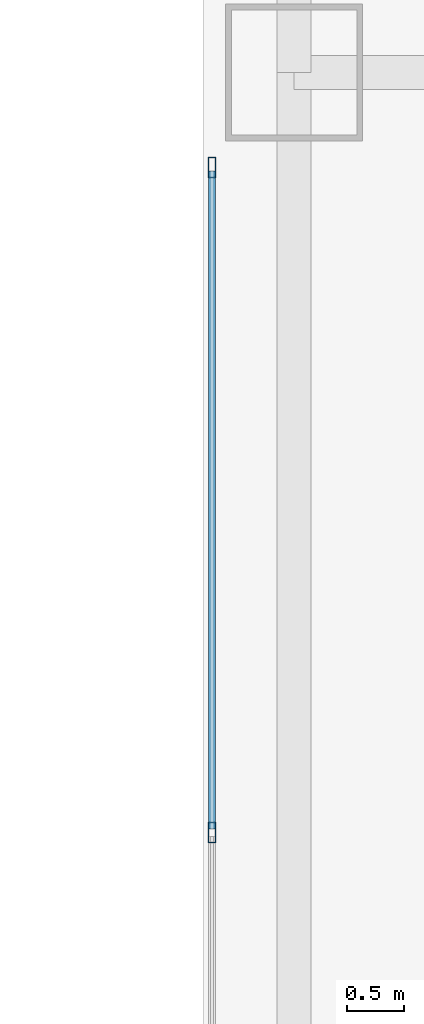
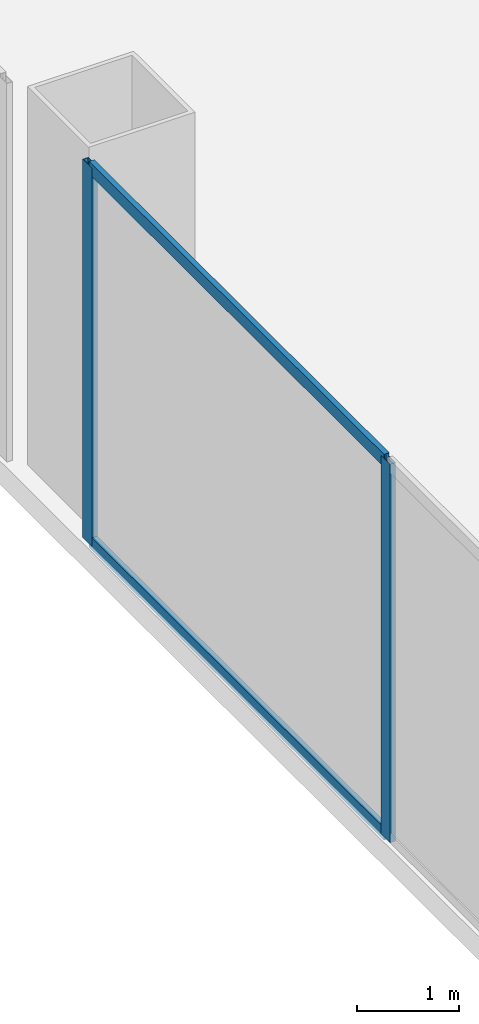
# One storey, part 34 of 58: 4 members, 1 element without a shape of its own.
"""IFC4 building model written with IfcOpenShell, lengths in metres."""

from ifc_helpers import new_model, si_unit, direction, frame, origin, origin_2d, place, context, subcontext, project, spatial, hollow_rectangle, extrude, source, transform, mapped, material, layer, layer_set, material_profile, profile_set, type_object, element, aggregate, save


model = new_model("IFC4")

# Units and contexts
model_context = context("Model", 3, precision=1e-05, world=origin(), true_north=direction((0.0, 1.0)))
body_context = subcontext(model_context, "Body", "Model", "MODEL_VIEW")
ifc_project = project(units=[si_unit("LENGTHUNIT", "METRE"), si_unit("AREAUNIT", "SQUARE_METRE"), si_unit("VOLUMEUNIT", "CUBIC_METRE"), si_unit("PLANEANGLEUNIT", "RADIAN"), si_unit("MASSUNIT", "GRAM", prefix="KILO"), si_unit("THERMODYNAMICTEMPERATUREUNIT", "KELVIN"), si_unit("POWERUNIT", "WATT")], contexts=[model_context])

# Site, building, storey
site_placement = place(None, origin())
site = spatial("IfcSite", under=ifc_project, at=site_placement, CompositionType="ELEMENT")
building_placement = place(site_placement, origin())
building = spatial("IfcBuilding", under=site, at=building_placement, Name="Yunzhuo Pagoda Commons", CompositionType="ELEMENT")
storey_placement = place(building_placement, origin())
storey = spatial("IfcBuildingStorey", under=building, at=storey_placement, Name="L01", CompositionType="ELEMENT", Elevation=0.0)

# Curtain wall, members
ifc_material = material(Name="Anodized aluminium 6063-T6", Category="aluminium")
ifc_layer = layer(ifc_material, 0.179931640625)
ifc_layer_set = layer_set([ifc_layer], Name="Anodized aluminium 6063-T6")
curtain_wall_type = type_object("IfcCurtainWallType", Name="CW-POD Waterfront Podium Curtain Wall", PredefinedType="NOTDEFINED", material=ifc_layer_set)
curtain_wall_placement = place(storey_placement, origin())
curtain_wall = element("IfcCurtainWall", 1, at=curtain_wall_placement, inside=storey, type_object=curtain_wall_type, Name="L01 curtain wall CW-L01-W4", PredefinedType="NOTDEFINED")
ifc_material_profile_1 = material_profile(ifc_material, hollow_rectangle(XDim=0.06494140625, YDim=0.179931640625, WallThickness=0.00390625, at=origin_2d()), Name="Anodized aluminium 6063-T6")
ifc_profile_set_1 = profile_set([ifc_material_profile_1], Name="Anodized aluminium 6063-T6")
member_type_1 = type_object("IfcMemberType", Name="CW-POD-M Mullion RHS 180x65x4", PredefinedType="MULLION", material=ifc_profile_set_1)
shared_shape_1 = source(origin(), body_context, "Body", "SweptSolid", [
    extrude(hollow_rectangle(XDim=0.06494140625, YDim=0.179931640625, WallThickness=0.00390625, at=origin_2d()), origin(), (0.0, 0.0, 1.0), 4.520263671875),
])
member_1_placement = place(storey_placement, frame((4.080078125, 74.533447265625, 0.0), z_axis=(0.0, 0.0, 1.0), x_axis=(-1.0, 0.0, 0.0)))
member_1 = element("IfcMember", 2, at=member_1_placement, type_object=member_type_1, Name="CW mullion 3", PredefinedType="MULLION", context=body_context, shape_type="MappedRepresentation", body=[
    mapped(shared_shape_1, transform((0.0, 0.0, 0.0), scale=1.0)),
])
member_2_placement = place(storey_placement, frame((4.080078125, 80.367431640625, 0.0), z_axis=(0.0, 0.0, 1.0), x_axis=(-1.0, 0.0, 0.0)))
member_2 = element("IfcMember", 3, at=member_2_placement, type_object=member_type_1, Name="CW mullion 4", PredefinedType="MULLION", context=body_context, shape_type="MappedRepresentation", body=[
    mapped(shared_shape_1, transform((0.0, 0.0, 0.0), scale=1.0)),
])
ifc_material_profile_2 = material_profile(ifc_material, hollow_rectangle(XDim=0.06005859375, YDim=0.14990234375, WallThickness=0.00390625, at=origin_2d()), Name="Anodized aluminium 6063-T6")
ifc_profile_set_2 = profile_set([ifc_material_profile_2], Name="Anodized aluminium 6063-T6")
member_type_2 = type_object("IfcMemberType", Name="CW-POD-T Transom RHS 150x60x4", PredefinedType="USERDEFINED", material=ifc_profile_set_2)
shared_shape_2 = source(origin(), body_context, "Body", "SweptSolid", [
    extrude(hollow_rectangle(XDim=0.06005859375, YDim=0.14990234375, WallThickness=0.00390625, at=origin_2d()), origin(), (0.0, 0.0, 1.0), 5.76904296875),
])
member_3_placement = place(storey_placement, frame((4.080078125, 74.56591796875, 0.030029296875), z_axis=(0.0, 1.0, 0.0), x_axis=(-1.0, 0.0, 0.0)))
member_3 = element("IfcMember", 4, at=member_3_placement, type_object=member_type_2, Name="CW transom 3.1", ObjectType="TRANSOM", PredefinedType="USERDEFINED", context=body_context, shape_type="MappedRepresentation", body=[
    mapped(shared_shape_2, transform((0.0, 0.0, 0.0), scale=1.0)),
])
member_4_placement = place(storey_placement, frame((4.080078125, 74.56591796875, 4.489990234375), z_axis=(0.0, 1.0, 0.0), x_axis=(-1.0, 0.0, 0.0)))
member_4 = element("IfcMember", 5, at=member_4_placement, type_object=member_type_2, Name="CW transom 3.2", ObjectType="TRANSOM", PredefinedType="USERDEFINED", context=body_context, shape_type="MappedRepresentation", body=[
    mapped(shared_shape_2, transform((0.0, 0.0, 0.0), scale=1.0)),
])
aggregate(curtain_wall, [member_1, member_2, member_3, member_4])

save(model, "model.ifc")
